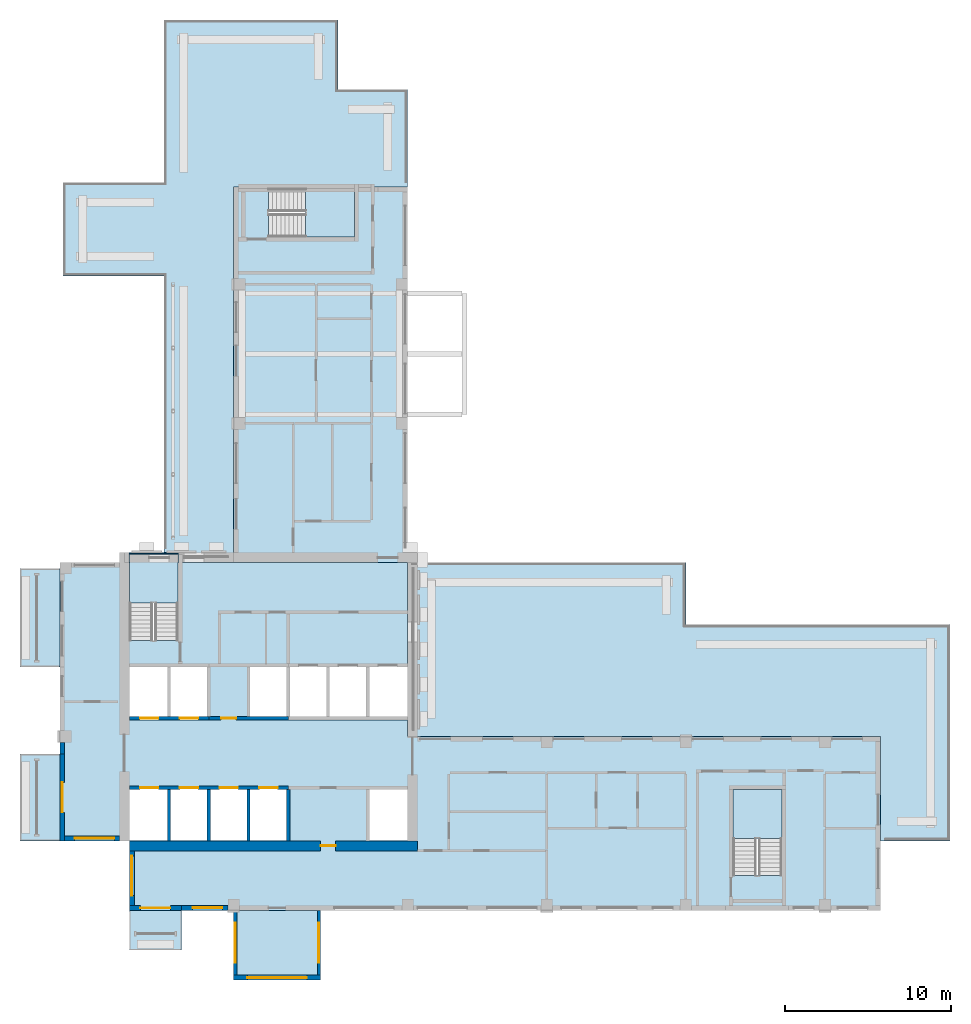
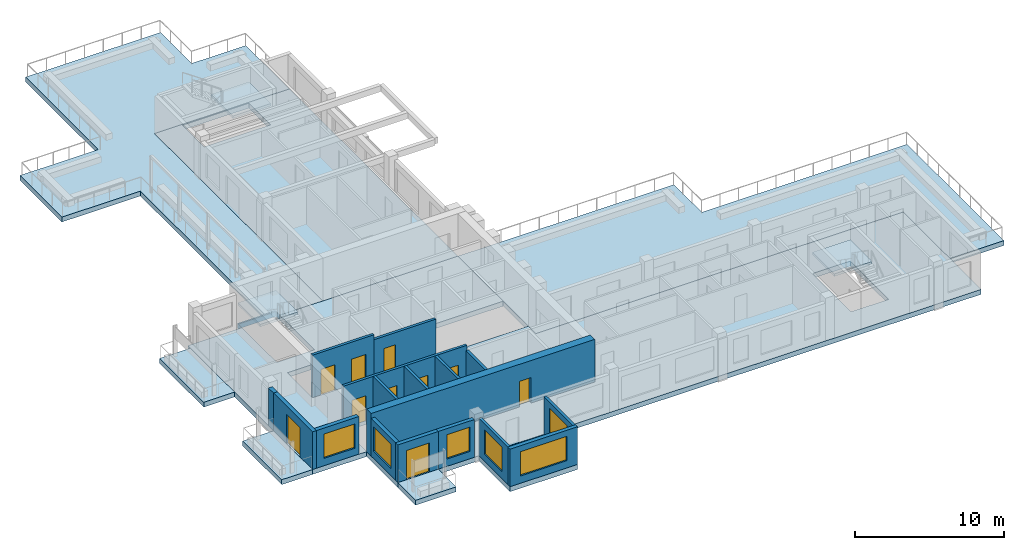
# One storey, part 3 of 12: 17 walls, 12 slabs, 10 doors, 6 windows, 16 openings, 3 elements without a shape of their own.
"""IFC4 building model written with IfcOpenShell, lengths in metres."""

import ifcopenshell
import ifcopenshell.guid

model = None  # the IFC model being written
_history = None  # IfcOwnerHistory: only IFC2X3 demands one
_inside = {}  # id of a spatial element -> (the spatial element, [elements in it])
_under = {}  # id of a project, library or spatial element -> (it, [spatial elements below it])
_declared = {}  # id of a project -> (the project, [libraries it declares])
_typed = {}  # id of a type object -> (the type object, [elements of that type])
_made_of = {}  # id of a material, layer set ... -> (it, [elements and type objects made of it])


def new_model(schema):
    """Start an empty IFC model of exactly this schema.

    Asked for "IFC4X3", IfcOpenShell would pick the latest addendum, in which some entities
    have other attributes; the version numbers below select the first issue.
    IFC2X3 requires an IfcOwnerHistory on every rooted entity: one is made here for all.
    """
    global model, _history
    if schema == "IFC4X3":
        model = ifcopenshell.file(schema_version=(4, 3, 0, 0))
    else:
        model = ifcopenshell.file(schema=schema)
    _inside.clear()
    _under.clear()
    _declared.clear()
    _typed.clear()
    _made_of.clear()
    _history = None
    if model.schema == "IFC2X3":
        org = make("IfcOrganization", Name="unknown")
        user = make(
            "IfcPersonAndOrganization",
            ThePerson=make("IfcPerson", FamilyName="unknown"),
            TheOrganization=org,
        )
        app = make(
            "IfcApplication",
            ApplicationDeveloper=org,
            Version="unknown",
            ApplicationFullName="unknown",
            ApplicationIdentifier="unknown",
        )
        _history = make(
            "IfcOwnerHistory",
            OwningUser=user,
            OwningApplication=app,
            ChangeAction="ADDED",
            CreationDate=0,
        )
    return model


def make(cls, **values):
    """One entity of the class cls with the attributes given. An attribute that is None is left unset."""
    return model.create_entity(
        cls, **{name: value for name, value in values.items() if value is not None}
    )


def rooted(cls, **values):
    """An entity with a GlobalId (a new one), such as an element, a storey or a relation."""
    return make(cls, GlobalId=ifcopenshell.guid.new(), OwnerHistory=_history, **values)


def si_unit(unit_type, name, prefix=None):
    """IfcSIUnit, for example si_unit("LENGTHUNIT", "METRE", prefix="MILLI")."""
    return make("IfcSIUnit", UnitType=unit_type, Prefix=prefix, Name=name)


def assignment(units):
    """IfcUnitAssignment: the units of a project."""
    return None if units is None else make("IfcUnitAssignment", Units=units)


def point(xyz):
    """IfcCartesianPoint."""
    return None if xyz is None else make("IfcCartesianPoint", Coordinates=xyz)


def direction(xyz):
    """IfcDirection."""
    return None if xyz is None else make("IfcDirection", DirectionRatios=xyz)


def frame(location, z_axis=None, x_axis=None):
    """IfcAxis2Placement3D, a coordinate frame: its origin and axes. An axis left out is left unset."""
    return make(
        "IfcAxis2Placement3D",
        Location=point(location),
        Axis=direction(z_axis),
        RefDirection=direction(x_axis),
    )


def frame_2d(location, x_axis=None):
    """IfcAxis2Placement2D, a coordinate frame in the plane: its origin and x axis."""
    return make(
        "IfcAxis2Placement2D", Location=point(location), RefDirection=direction(x_axis)
    )


def origin():
    """The frame at (0, 0, 0) with its axes left unset."""
    return frame((0.0, 0.0, 0.0))


def place(relative_to, where):
    """IfcLocalPlacement: puts the frame where relative to a parent placement (None: the world)."""
    return make(
        "IfcLocalPlacement", PlacementRelTo=relative_to, RelativePlacement=where
    )


def context(
    kind, dimensions, precision=None, world=None, true_north=None, identifier=None
):
    """IfcGeometricRepresentationContext, for example the 3D "Model" context."""
    return make(
        "IfcGeometricRepresentationContext",
        ContextIdentifier=identifier,
        ContextType=kind,
        CoordinateSpaceDimension=dimensions,
        Precision=precision,
        WorldCoordinateSystem=world,
        TrueNorth=true_north,
    )


def subcontext(parent, identifier, kind, view, scale=None):
    """IfcGeometricRepresentationSubContext, for example "Body" below "Model"."""
    return make(
        "IfcGeometricRepresentationSubContext",
        ContextIdentifier=identifier,
        ContextType=kind,
        ParentContext=parent,
        TargetScale=scale,
        TargetView=view,
    )


def project(units=None, contexts=None):
    """IfcProject with its units and contexts."""
    return rooted(
        "IfcProject",
        Name="project",
        RepresentationContexts=contexts,
        UnitsInContext=assignment(units),
    )


def spatial(cls, under=None, at=None, **own):
    """A site, building, storey or space (cls), placed at a placement, below another one or the project."""
    s = rooted(cls, ObjectPlacement=at, **own)
    if under is not None:
        _under.setdefault(under.id(), (under, []))[1].append(s)
    return s


def polyline(points):
    """IfcPolyline through the points."""
    return make("IfcPolyline", Points=[point(p) for p in points])


def profile(cls, at=None, kind="AREA", **sizes):
    """A parametric profile (cls). Its sizes go by their IFC names, for example OverallWidth=200.0."""
    return make(cls, ProfileType=kind, Position=at, **sizes)


def rectangle(**sizes):
    """IfcRectangleProfileDef."""
    return profile("IfcRectangleProfileDef", **sizes)


def outline(outer, holes=None, kind="AREA"):
    """IfcArbitraryClosedProfileDef: a profile drawn as a closed curve; with holes, ...WithVoids."""
    if holes is None:
        return make("IfcArbitraryClosedProfileDef", ProfileType=kind, OuterCurve=outer)
    return make(
        "IfcArbitraryProfileDefWithVoids",
        ProfileType=kind,
        OuterCurve=outer,
        InnerCurves=holes,
    )


def extrude(swept, where, along, depth):
    """IfcExtrudedAreaSolid: the profile swept, set in the frame where, extruded along a direction by depth."""
    return make(
        "IfcExtrudedAreaSolid",
        SweptArea=swept,
        Position=where,
        ExtrudedDirection=direction(along),
        Depth=depth,
    )


def shape(context_of_items, identifier, shape_type, items):
    """IfcShapeRepresentation: the items that make up one representation, for example the "Body"."""
    return make(
        "IfcShapeRepresentation",
        ContextOfItems=context_of_items,
        RepresentationIdentifier=identifier,
        RepresentationType=shape_type,
        Items=items,
    )


def source(mapping_origin, context_of_items, identifier, shape_type, items):
    """IfcRepresentationMap: a shape defined once, which mapped items show again and again."""
    return make(
        "IfcRepresentationMap",
        MappingOrigin=mapping_origin,
        MappedRepresentation=shape(context_of_items, identifier, shape_type, items),
    )


def transform(
    local_origin,
    x_axis=None,
    y_axis=None,
    z_axis=None,
    scale=None,
    scale2=None,
    scale3=None,
    uniform=True,
):
    """IfcCartesianTransformationOperator3D, or its non-uniform kind. x_axis, y_axis, z_axis: its Axis1, 2, 3."""
    if uniform:
        return make(
            "IfcCartesianTransformationOperator3D",
            Axis1=direction(x_axis),
            Axis2=direction(y_axis),
            LocalOrigin=point(local_origin),
            Scale=scale,
            Axis3=direction(z_axis),
        )
    return make(
        "IfcCartesianTransformationOperator3DnonUniform",
        Axis1=direction(x_axis),
        Axis2=direction(y_axis),
        LocalOrigin=point(local_origin),
        Scale=scale,
        Axis3=direction(z_axis),
        Scale2=scale2,
        Scale3=scale3,
    )


def mapped(mapping_source, mapping_target):
    """IfcMappedItem: shows the shape of a source again, moved by a transform."""
    return make(
        "IfcMappedItem", MappingSource=mapping_source, MappingTarget=mapping_target
    )


def material(Name=None, Category=None):
    """IfcMaterial."""
    return make("IfcMaterial", Name=Name, Category=Category)


def layer(
    of_material, thickness, ventilated=None, Name=None, Category=None, Priority=None
):
    """IfcMaterialLayer: one layer of a wall or slab, of a material (None: an air gap)."""
    return make(
        "IfcMaterialLayer",
        Material=of_material,
        LayerThickness=thickness,
        IsVentilated=ventilated,
        Name=Name,
        Category=Category,
        Priority=Priority,
    )


def layer_set(layers, Name=None):
    """IfcMaterialLayerSet."""
    return make("IfcMaterialLayerSet", MaterialLayers=layers, LayerSetName=Name)


def made_of(thing, what):
    """Note that an element or type object is made of a material, layer set ...; save() writes the relation."""
    if what is not None:
        _made_of.setdefault(what.id(), (what, []))[1].append(thing)
    return thing


def type_object(cls, material=None, **own):
    """A type object (cls), such as IfcWallType, which elements share."""
    return made_of(rooted(cls, **own), material)


def element(
    cls,
    number,
    at=None,
    inside=None,
    cuts=None,
    type_object=None,
    material=None,
    context=None,
    identifier="Body",
    shape_type=None,
    held_by="IfcProductDefinitionShape",
    body=None,
    shapes=None,
    **own,
):
    """One element of the class cls, such as IfcWall. Its Tag is "e" and its number.

    at: its placement. inside: the storey or other place that contains it. cuts: it is an
    opening in that element (IfcRelVoidsElement). A single representation is given by context,
    identifier, shape_type and body (its items); several are given by shapes. held_by: the class
    of the entity that holds the representations. save() writes the other relations.
    """
    e = rooted(cls, Tag="e%d" % number, ObjectPlacement=at, **own)
    if body is not None:
        shapes = [shape(context, identifier, shape_type, body)]
    if shapes is not None:
        e.Representation = make(held_by, Representations=shapes)
    if inside is not None:
        _inside.setdefault(inside.id(), (inside, []))[1].append(e)
    if cuts is not None:
        rooted(
            "IfcRelVoidsElement", RelatingBuildingElement=cuts, RelatedOpeningElement=e
        )
    if type_object is not None:
        _typed.setdefault(type_object.id(), (type_object, []))[1].append(e)
    return made_of(e, material)


def fill(opening, filler):
    """IfcRelFillsElement: the door or window that sits in an opening."""
    return rooted(
        "IfcRelFillsElement",
        RelatingOpeningElement=opening,
        RelatedBuildingElement=filler,
    )


def aggregate(whole, parts):
    """IfcRelAggregates: a whole, such as a stair, and the parts it consists of."""
    return rooted("IfcRelAggregates", RelatingObject=whole, RelatedObjects=parts)


def save(model, path):
    """Write the relations noted so far, then the file.

    IfcRelAggregates (storeys below a building ...), IfcRelContainedInSpatialStructure (elements
    in a storey), IfcRelDefinesByType, IfcRelAssociatesMaterial and IfcRelDeclares: one each for
    every whole, place, type object, material and project.
    """
    for whole, parts in _under.values():
        aggregate(whole, parts)
    for where, things in _inside.values():
        rooted(
            "IfcRelContainedInSpatialStructure",
            RelatedElements=things,
            RelatingStructure=where,
        )
    for kind, things in _typed.values():
        rooted("IfcRelDefinesByType", RelatedObjects=things, RelatingType=kind)
    for what, things in _made_of.values():
        rooted("IfcRelAssociatesMaterial", RelatedObjects=things, RelatingMaterial=what)
    for by, libraries in _declared.values():
        rooted("IfcRelDeclares", RelatingContext=by, RelatedDefinitions=libraries)
    model.write(path)


model = new_model("IFC4")

# Units and contexts
model_context = context("Model", 3, precision=1e-05, world=origin(), true_north=direction((0.0, 1.0)))
body_context = subcontext(model_context, "Body", "Model", "MODEL_VIEW")
ifc_project = project(units=[si_unit("LENGTHUNIT", "METRE"), si_unit("AREAUNIT", "SQUARE_METRE"), si_unit("VOLUMEUNIT", "CUBIC_METRE"), si_unit("PLANEANGLEUNIT", "RADIAN"), si_unit("MASSUNIT", "GRAM", prefix="KILO")], contexts=[model_context])

# Site, building, storey
site_placement = place(None, origin())
site = spatial("IfcSite", under=ifc_project, at=site_placement, CompositionType="ELEMENT")
building_placement = place(site_placement, origin())
building = spatial("IfcBuilding", under=site, at=building_placement, Name="Aurelian Terraces", CompositionType="ELEMENT")
storey_placement = place(building_placement, frame((0.0, 0.0, 284.5)))
storey = spatial("IfcBuildingStorey", under=building, at=storey_placement, Name="L64", CompositionType="ELEMENT", Elevation=284.5)

# Slabs
ifc_material_1 = material(Name="Concrete fc' 40 MPa", Category="concrete")
ifc_layer_1 = layer(ifc_material_1, 0.4)
ifc_layer_set_1 = layer_set([ifc_layer_1], Name="Balcony slab 400")
slab_type_1 = type_object("IfcSlabType", Name="Balcony slab 400", PredefinedType="NOTDEFINED", material=ifc_layer_set_1)
slab_1_placement = place(storey_placement, frame((0.0, 0.0, -0.4)))
element("IfcSlab", 1, at=slab_1_placement, inside=storey, type_object=slab_type_1, Name="Balcony slab L64 F12.21", PredefinedType="NOTDEFINED", context=body_context, shape_type="SweptSolid", body=[
    extrude(outline(polyline([(0.0, 20.65), (0.0, 14.7), (-2.4, 14.7), (-2.4, 20.65), (0.0, 20.65)])), origin(), (0.0, 0.0, 1.0), 0.4),
])
ifc_layer_2 = layer(ifc_material_1, 0.4)
ifc_layer_set_2 = layer_set([ifc_layer_2], Name="PT FLAT PLATE 400")
slab_type_2 = type_object("IfcSlabType", Name="PT FLAT PLATE 400", PredefinedType="FLOOR", material=ifc_layer_set_2)
slab_2_placement = place(storey_placement, frame((0.0, 0.0, -0.4)))
element("IfcSlab", 2, at=slab_2_placement, inside=storey, type_object=slab_type_2, Name="Floor slab S L64", PredefinedType="FLOOR", context=body_context, shape_type="SweptSolid", body=[
    extrude(outline(polyline([(21.0, 0.0), (4.2, 0.0), (4.2, 4.2), (0.0, 4.2), (0.0, 10.5), (0.0, 21.0), (4.21, 21.0), (4.21, 16.31), (7.14, 16.31), (7.14, 21.0), (21.0, 21.0), (21.0, 10.5), (49.56, 10.5), (49.56, 6.3), (49.56, 4.2), (49.56, 0.0), (21.0, 0.0)]), holes=[polyline([(40.66, 2.11), (43.59, 2.11), (43.59, 7.29), (40.66, 7.29), (40.66, 2.11)]), polyline([(18.61, 7.49), (18.61, 4.21), (20.99, 4.21), (20.99, 7.49), (18.61, 7.49)]), polyline([(20.99, 14.89), (11.41, 14.89), (11.41, 11.51), (20.99, 11.51), (20.99, 14.89)]), polyline([(4.21, 7.49), (4.21, 4.21), (13.79, 4.21), (13.79, 7.49), (4.21, 7.49)]), polyline([(4.21, 14.89), (4.21, 11.51), (8.99, 11.51), (8.99, 14.89), (4.21, 14.89)])]), origin(), (0.0, 0.0, 1.0), 0.4),
])
slab_3_placement = place(storey_placement, frame((0.0, 0.0, -0.4)))
element("IfcSlab", 3, at=slab_3_placement, inside=storey, type_object=slab_type_2, Name="Floor slab W L64", PredefinedType="FLOOR", context=body_context, shape_type="SweptSolid", body=[
    extrude(outline(polyline([(10.5, 43.68), (14.7, 43.68), (16.8, 43.68), (21.0, 43.68), (21.0, 21.0), (10.5, 21.0), (10.5, 43.68)]), holes=[polyline([(17.79, 43.59), (12.61, 43.59), (12.61, 40.66), (17.79, 40.66), (17.79, 43.59)])]), origin(), (0.0, 0.0, 1.0), 0.4),
])
slab_4_placement = place(storey_placement, frame((0.0, 0.0, -0.4)))
element("IfcSlab", 4, at=slab_4_placement, inside=storey, type_object=slab_type_2, Name="Floor slab W2 L64", PredefinedType="FLOOR", context=body_context, shape_type="SweptSolid", body=[
    extrude(outline(polyline([(4.2, 21.0), (4.2, 21.6), (7.15, 21.6), (7.15, 21.0), (7.14, 21.0), (7.14, 21.49), (4.21, 21.49), (4.21, 21.0), (4.2, 21.0)])), origin(), (0.0, 0.0, 1.0), 0.4),
])
ifc_layer_3 = layer(ifc_material_1, 0.4001)
ifc_layer_set_3 = layer_set([ifc_layer_3], Name="Terrace slab 400")
slab_type_3 = type_object("IfcSlabType", Name="Terrace slab 400", PredefinedType="NOTDEFINED", material=ifc_layer_set_3)
slab_5_placement = place(storey_placement, frame((0.0, 0.0, -0.4001)))
element("IfcSlab", 5, at=slab_5_placement, inside=storey, type_object=slab_type_3, Name="Setback terrace L64 L64-X1", PredefinedType="NOTDEFINED", context=body_context, shape_type="SweptSolid", body=[
    extrude(outline(polyline([(49.56, 4.2), (49.56, 6.3), (49.56, 10.5), (21.0, 10.5), (21.0, 21.0), (37.8, 21.0), (37.8, 17.25), (49.56, 17.25), (53.76, 17.25), (53.76, 16.8), (53.76, 16.65), (53.76, 4.2), (49.56, 4.2)])), origin(), (0.0, 0.0, 1.0), 0.4001),
])
slab_6_placement = place(storey_placement, frame((0.0, 0.0, -0.4001)))
element("IfcSlab", 6, at=slab_6_placement, inside=storey, type_object=slab_type_3, Name="Setback terrace L64 L64-X2", PredefinedType="NOTDEFINED", context=body_context, shape_type="SweptSolid", body=[
    extrude(outline(polyline([(6.3, 38.3), (0.2, 38.3), (0.2, 43.95), (6.3, 43.95), (6.3, 49.56), (6.3, 53.76), (10.5, 53.76), (16.8, 53.76), (16.8, 49.56), (21.0, 49.56), (21.0, 43.68), (16.8, 43.68), (14.7, 43.68), (10.5, 43.68), (10.5, 21.0), (7.15, 21.0), (7.15, 21.6), (6.3, 21.6), (6.3, 38.3)])), origin(), (0.0, 0.0, 1.0), 0.4001),
])
shared_shape_1 = source(origin(), body_context, "Body", "SweptSolid", [
    extrude(outline(polyline([(0.0, 9.45), (0.0, 4.2), (-2.4, 4.2), (-2.4, 9.45), (0.0, 9.45)])), origin(), (0.0, 0.0, 1.0), 0.4),
])
slab_7_placement = place(storey_placement, frame((0.0, 0.0, -0.4)))
element("IfcSlab", 7, at=slab_7_placement, inside=storey, type_object=slab_type_1, Name="Balcony slab L64 F12.23", PredefinedType="NOTDEFINED", context=body_context, shape_type="MappedRepresentation", body=[
    mapped(shared_shape_1, transform((0.0, 0.0, 0.0), scale=1.0)),
])
ifc_layer_4 = layer(ifc_material_1, 0.41)
ifc_layer_set_4 = layer_set([ifc_layer_4], Name="Box floor 410")
slab_type_4 = type_object("IfcSlabType", Name="Box floor 410", PredefinedType="NOTDEFINED", material=ifc_layer_set_4)
shared_shape_2 = source(origin(), body_context, "Body", "SweptSolid", [
    extrude(outline(polyline([(10.5, -4.2), (15.75, -4.2), (15.75, 0.0), (10.5, 0.0), (10.5, -4.2)])), origin(), (0.0, 0.0, 1.0), 0.41),
])
slab_8_placement = place(storey_placement, frame((0.0, 0.0, -0.41)))
element("IfcSlab", 8, at=slab_8_placement, inside=storey, type_object=slab_type_4, Name="Box floor L64 J88", PredefinedType="NOTDEFINED", context=body_context, shape_type="MappedRepresentation", body=[
    mapped(shared_shape_2, transform((0.0, 0.0, 0.0), scale=1.0)),
])
shared_shape_3 = source(origin(), body_context, "Body", "SweptSolid", [
    extrude(outline(polyline([(4.2, 0.0), (7.35, 0.0), (7.35, -2.4), (4.2, -2.4), (4.2, 0.0)])), origin(), (0.0, 0.0, 1.0), 0.4),
])
slab_9_placement = place(storey_placement, frame((0.0, 0.0, -0.4)))
element("IfcSlab", 9, at=slab_9_placement, inside=storey, type_object=slab_type_1, Name="Balcony slab L64 F01.1", PredefinedType="NOTDEFINED", context=body_context, shape_type="MappedRepresentation", body=[
    mapped(shared_shape_3, transform((0.0, 0.0, 0.0), scale=1.0)),
])

# Stair, slab
stair_type = type_object("IfcStairType", Name="Stair 1400", PredefinedType="HALF_TURN_STAIR", material=ifc_material_1)
stair_1_placement = place(storey_placement, origin())
stair_1 = element("IfcStair", 10, at=stair_1_placement, inside=storey, type_object=stair_type, Name="L64 S1", PredefinedType="HALF_TURN_STAIR")
ifc_layer_5 = layer(ifc_material_1, 0.2)
ifc_layer_set_5 = layer_set([ifc_layer_5], Name="Stair landing 200")
slab_type_5 = type_object("IfcSlabType", Name="Stair landing 200", PredefinedType="LANDING", material=ifc_layer_set_5)
shared_shape_4 = source(origin(), body_context, "Body", "SweptSolid", [
    extrude(outline(polyline([(7.15, 18.55), (7.15, 21.5), (4.2, 21.5), (4.2, 18.55), (7.15, 18.55)])), origin(), (0.0, 0.0, 1.0), 0.2),
])
slab_10_placement = place(storey_placement, frame((0.0, 0.0, 1.55)))
slab_10 = element("IfcSlab", 11, at=slab_10_placement, type_object=slab_type_5, Name="S1 landing 1", PredefinedType="LANDING", context=body_context, shape_type="MappedRepresentation", body=[
    mapped(shared_shape_4, transform((0.0, 0.0, 0.0), scale=1.0)),
])
aggregate(stair_1, [slab_10])

stair_2_placement = place(storey_placement, origin())
stair_2 = element("IfcStair", 12, at=stair_2_placement, inside=storey, type_object=stair_type, Name="L64 S2", PredefinedType="HALF_TURN_STAIR")
shared_shape_5 = source(origin(), body_context, "Body", "SweptSolid", [
    extrude(outline(polyline([(43.6, 4.35), (43.6, 7.3), (40.65, 7.3), (40.65, 4.35), (43.6, 4.35)])), origin(), (0.0, 0.0, 1.0), 0.2),
])
slab_11_placement = place(storey_placement, frame((0.0, 0.0, 1.55)))
slab_11 = element("IfcSlab", 13, at=slab_11_placement, type_object=slab_type_5, Name="S2 landing 1", PredefinedType="LANDING", context=body_context, shape_type="MappedRepresentation", body=[
    mapped(shared_shape_5, transform((0.0, 0.0, 0.0), scale=1.0)),
])
aggregate(stair_2, [slab_11])

stair_3_placement = place(storey_placement, origin())
stair_3 = element("IfcStair", 14, at=stair_3_placement, inside=storey, type_object=stair_type, Name="L64 S3U", PredefinedType="HALF_TURN_STAIR")
shared_shape_6 = source(origin(), body_context, "Body", "SweptSolid", [
    extrude(outline(polyline([(14.85, 40.65), (17.8, 40.65), (17.8, 43.6), (14.85, 43.6), (14.85, 40.65)])), origin(), (0.0, 0.0, 1.0), 0.2),
])
slab_12_placement = place(storey_placement, frame((0.0, 0.0, 1.55)))
slab_12 = element("IfcSlab", 15, at=slab_12_placement, type_object=slab_type_5, Name="S3U landing 1", PredefinedType="LANDING", context=body_context, shape_type="MappedRepresentation", body=[
    mapped(shared_shape_6, transform((0.0, 0.0, 0.0), scale=1.0)),
])
aggregate(stair_3, [slab_12])

# Wall, opening, window
ifc_layer_6 = layer(ifc_material_1, 0.2)
ifc_layer_set_6 = layer_set([ifc_layer_6], Name="BOX BEARING WALL 200")
wall_type_1 = type_object("IfcWallType", Name="BOX BEARING WALL 200", PredefinedType="SOLIDWALL", material=ifc_layer_set_6)
wall_1_placement = place(storey_placement, frame((10.6, 0.0, 0.0), z_axis=(0.0, 0.0, 1.0), x_axis=(0.0, -1.0, 0.0)))
wall_1 = element("IfcWall", 16, at=wall_1_placement, inside=storey, type_object=wall_type_1, Name="Box return L64 J88.1", PredefinedType="SOLIDWALL", context=body_context, shape_type="SweptSolid", body=[
    extrude(rectangle(XDim=3.9, YDim=0.2, at=frame_2d((1.95, 0.0))), origin(), (0.0, 0.0, 1.0), 3.09),
])
opening_1_placement = place(wall_1_placement, frame((0.75, 0.0, 0.6)))
opening_1 = element("IfcOpeningElement", 17, at=opening_1_placement, cuts=wall_1, Name="Opening W2420", PredefinedType="OPENING", context=body_context, shape_type="SweptSolid", body=[
    extrude(rectangle(XDim=2.4, YDim=2.0, at=frame_2d((1.2, 1.0))), frame((0.0, 0.11, 0.0), z_axis=(0.0, -1.0, 0.0), x_axis=(1.0, 0.0, 0.0)), (0.0, 0.0, 1.0), 0.22),
])
ifc_material_2 = material(Name="Clear glazing", Category="glass")
window_type_1 = type_object("IfcWindowType", Name="W-2400x2000", PartitioningType="SINGLE_PANEL", PredefinedType="WINDOW", material=ifc_material_2)
shared_shape_7 = source(origin(), body_context, "Body", "SweptSolid", [
    extrude(rectangle(XDim=2.4, YDim=2.0, at=frame_2d((1.2, 1.0))), frame((0.0, 0.03, 0.0), z_axis=(0.0, -1.0, 0.0), x_axis=(1.0, 0.0, 0.0)), (0.0, 0.0, 1.0), 0.06),
])
window_1_placement = place(opening_1_placement, origin())
window_1 = element("IfcWindow", 18, at=window_1_placement, inside=storey, type_object=window_type_1, Name="Window L64 J88-S1", OverallHeight=2.0, OverallWidth=2.4, PartitioningType="SINGLE_PANEL", PredefinedType="WINDOW", context=body_context, shape_type="MappedRepresentation", body=[
    mapped(shared_shape_7, transform((0.0, 0.0, 0.0), scale=1.0)),
])
fill(opening_1, window_1)

ifc_layer_7 = layer(ifc_material_1, 0.3)
ifc_layer_set_7 = layer_set([ifc_layer_7], Name="BOX BEARING WALL 300")
wall_type_2 = type_object("IfcWallType", Name="BOX BEARING WALL 300", PredefinedType="SOLIDWALL", material=ifc_layer_set_7)
wall_2_placement = place(storey_placement, frame((10.5, -4.05, 0.0), z_axis=(0.0, 0.0, 1.0), x_axis=(1.0, 0.0, 0.0)))
wall_2 = element("IfcWall", 19, at=wall_2_placement, inside=storey, type_object=wall_type_2, Name="Box wall L64 J88", PredefinedType="SOLIDWALL", context=body_context, shape_type="SweptSolid", body=[
    extrude(rectangle(XDim=5.25, YDim=0.3, at=frame_2d((2.625, 0.0))), origin(), (0.0, 0.0, 1.0), 3.09),
])
shared_shape_8 = source(origin(), body_context, "Body", "SweptSolid", [
    extrude(rectangle(XDim=3.6, YDim=2.0, at=frame_2d((1.8, 1.0))), frame((0.0, 0.16, 0.0), z_axis=(0.0, -1.0, 0.0), x_axis=(1.0, 0.0, 0.0)), (0.0, 0.0, 1.0), 0.32),
])
opening_2_placement = place(wall_2_placement, frame((0.825, 0.0, 0.6)))
opening_2 = element("IfcOpeningElement", 20, at=opening_2_placement, cuts=wall_2, Name="Opening W3620", PredefinedType="OPENING", context=body_context, shape_type="MappedRepresentation", body=[
    mapped(shared_shape_8, transform((0.0, 0.0, 0.0), scale=1.0)),
])
window_type_2 = type_object("IfcWindowType", Name="W-3600x2000", PartitioningType="SINGLE_PANEL", PredefinedType="WINDOW", material=ifc_material_2)
shared_shape_9 = source(origin(), body_context, "Body", "SweptSolid", [
    extrude(rectangle(XDim=3.6, YDim=2.0, at=frame_2d((1.8, 1.0))), frame((0.0, 0.03, 0.0), z_axis=(0.0, -1.0, 0.0), x_axis=(1.0, 0.0, 0.0)), (0.0, 0.0, 1.0), 0.06),
])
window_2_placement = place(opening_2_placement, origin())
window_2 = element("IfcWindow", 21, at=window_2_placement, inside=storey, type_object=window_type_2, Name="Window L64 J88-F1", OverallHeight=2.0, OverallWidth=3.6, PartitioningType="SINGLE_PANEL", PredefinedType="WINDOW", context=body_context, shape_type="MappedRepresentation", body=[
    mapped(shared_shape_9, transform((0.0, 0.0, 0.0), scale=1.0)),
])
fill(opening_2, window_2)

# Wall, opening, door
ifc_material_3 = material(Name="Terracotta rainscreen cladding", Category="masonry")
ifc_layer_8 = layer(ifc_material_3, 0.3)
ifc_layer_set_8 = layer_set([ifc_layer_8], Name="EW-300")
wall_type_3 = type_object("IfcWallType", Name="EW-300", PredefinedType="STANDARD", material=ifc_layer_set_8)
wall_3_placement = place(storey_placement, frame((4.2, 0.15, 0.0), z_axis=(0.0, 0.0, 1.0), x_axis=(1.0, 0.0, 0.0)))
wall_3 = element("IfcWall", 22, at=wall_3_placement, inside=storey, type_object=wall_type_3, Name="External wall L64 F01.1", PredefinedType="STANDARD", context=body_context, shape_type="SweptSolid", body=[
    extrude(rectangle(XDim=3.15, YDim=0.3, at=frame_2d((1.575, 0.0))), origin(), (0.0, 0.0, 1.0), 3.1),
])
shared_shape_10 = source(origin(), body_context, "Body", "SweptSolid", [
    extrude(rectangle(XDim=1.8, YDim=2.4, at=frame_2d((0.9, 1.2))), frame((0.0, 0.16, 0.0), z_axis=(0.0, -1.0, 0.0), x_axis=(1.0, 0.0, 0.0)), (0.0, 0.0, 1.0), 0.32),
])
opening_3_placement = place(wall_3_placement, frame((0.675, 0.0, 0.0)))
opening_3 = element("IfcOpeningElement", 23, at=opening_3_placement, cuts=wall_3, Name="Opening 86401", PredefinedType="OPENING", context=body_context, shape_type="MappedRepresentation", body=[
    mapped(shared_shape_10, transform((0.0, 0.0, 0.0), scale=1.0)),
])
door_type_1 = type_object("IfcDoorType", Name="BD-1800x2400", OperationType="SLIDING_TO_LEFT", PredefinedType="DOOR", material=ifc_material_2)
shared_shape_11 = source(origin(), body_context, "Body", "SweptSolid", [
    extrude(rectangle(XDim=1.8, YDim=2.4, at=frame_2d((0.9, 1.2))), frame((0.0, 0.025, 0.0), z_axis=(0.0, -1.0, 0.0), x_axis=(1.0, 0.0, 0.0)), (0.0, 0.0, 1.0), 0.05),
])
door_1_placement = place(opening_3_placement, origin())
door_1 = element("IfcDoor", 24, at=door_1_placement, inside=storey, type_object=door_type_1, Name="Balcony door L64 F01.1", OperationType="SLIDING_TO_LEFT", OverallHeight=2.4, OverallWidth=1.8, PredefinedType="DOOR", context=body_context, shape_type="MappedRepresentation", body=[
    mapped(shared_shape_11, transform((0.0, 0.0, 0.0), scale=1.0)),
])
fill(opening_3, door_1)

# Wall, opening, window
wall_4_placement = place(storey_placement, frame((7.35, 0.15, 0.0), z_axis=(0.0, 0.0, 1.0), x_axis=(1.0, 0.0, 0.0)))
wall_4 = element("IfcWall", 25, at=wall_4_placement, inside=storey, type_object=wall_type_3, Name="External wall L64 F01.2", PredefinedType="STANDARD", context=body_context, shape_type="SweptSolid", body=[
    extrude(rectangle(XDim=2.8, YDim=0.3, at=frame_2d((1.4, 0.0))), origin(), (0.0, 0.0, 1.0), 3.1),
])
opening_4_placement = place(wall_4_placement, frame((0.675, 0.0, 0.6)))
opening_4 = element("IfcOpeningElement", 26, at=opening_4_placement, cuts=wall_4, Name="Opening W1820", PredefinedType="OPENING", context=body_context, shape_type="SweptSolid", body=[
    extrude(rectangle(XDim=1.8, YDim=2.0, at=frame_2d((0.9, 1.0))), frame((0.0, 0.16, 0.0), z_axis=(0.0, -1.0, 0.0), x_axis=(1.0, 0.0, 0.0)), (0.0, 0.0, 1.0), 0.32),
])
window_type_3 = type_object("IfcWindowType", Name="W-1800x2000", PartitioningType="SINGLE_PANEL", PredefinedType="WINDOW", material=ifc_material_2)
window_3_placement = place(opening_4_placement, origin())
window_3 = element("IfcWindow", 27, at=window_3_placement, inside=storey, type_object=window_type_3, Name="Window L64 L64-F01-02-0", OverallHeight=2.0, OverallWidth=1.8, PartitioningType="SINGLE_PANEL", PredefinedType="WINDOW", context=body_context, shape_type="SweptSolid", body=[
    extrude(rectangle(XDim=1.8, YDim=2.0, at=frame_2d((0.9, 1.0))), frame((0.0, 0.03, 0.0), z_axis=(0.0, -1.0, 0.0), x_axis=(1.0, 0.0, 0.0)), (0.0, 0.0, 1.0), 0.06),
])
fill(opening_4, window_3)

# Wall
wall_5_placement = place(storey_placement, frame((0.15, 10.15, 0.0), z_axis=(0.0, 0.0, 1.0), x_axis=(0.0, -1.0, 0.0)))
element("IfcWall", 28, at=wall_5_placement, inside=storey, type_object=wall_type_3, Name="External wall L64 F12.22", PredefinedType="STANDARD", context=body_context, shape_type="SweptSolid", body=[
    extrude(rectangle(XDim=0.7, YDim=0.3, at=frame_2d((0.35, 0.0))), origin(), (0.0, 0.0, 1.0), 3.1),
])

# Wall, opening, door
wall_6_placement = place(storey_placement, frame((0.15, 9.45, 0.0), z_axis=(0.0, 0.0, 1.0), x_axis=(0.0, -1.0, 0.0)))
wall_6 = element("IfcWall", 29, at=wall_6_placement, inside=storey, type_object=wall_type_3, Name="External wall L64 F12.23", PredefinedType="STANDARD", context=body_context, shape_type="SweptSolid", body=[
    extrude(rectangle(XDim=5.25, YDim=0.3, at=frame_2d((2.625, 0.0))), origin(), (0.0, 0.0, 1.0), 3.1),
])
opening_5_placement = place(wall_6_placement, frame((1.725, 0.0, 0.0)))
opening_5 = element("IfcOpeningElement", 30, at=opening_5_placement, cuts=wall_6, Name="Opening 86413", PredefinedType="OPENING", context=body_context, shape_type="MappedRepresentation", body=[
    mapped(shared_shape_10, transform((0.0, 0.0, 0.0), scale=1.0)),
])
door_2_placement = place(opening_5_placement, origin())
door_2 = element("IfcDoor", 31, at=door_2_placement, inside=storey, type_object=door_type_1, Name="Balcony door L64 F12.23", OperationType="SLIDING_TO_LEFT", OverallHeight=2.4, OverallWidth=1.8, PredefinedType="DOOR", context=body_context, shape_type="MappedRepresentation", body=[
    mapped(shared_shape_11, transform((0.0, 0.0, 0.0), scale=1.0)),
])
fill(opening_5, door_2)

# Wall, opening, window
wall_7_placement = place(storey_placement, frame((0.0, 4.35, 0.0), z_axis=(0.0, 0.0, 1.0), x_axis=(1.0, 0.0, 0.0)))
wall_7 = element("IfcWall", 32, at=wall_7_placement, inside=storey, type_object=wall_type_3, Name="External wall L64 F13.24", PredefinedType="STANDARD", context=body_context, shape_type="SweptSolid", body=[
    extrude(rectangle(XDim=3.6, YDim=0.3, at=frame_2d((1.8, 0.0))), origin(), (0.0, 0.0, 1.0), 3.1),
])
shared_shape_12 = source(origin(), body_context, "Body", "SweptSolid", [
    extrude(rectangle(XDim=2.4, YDim=2.0, at=frame_2d((1.2, 1.0))), frame((0.0, 0.16, 0.0), z_axis=(0.0, -1.0, 0.0), x_axis=(1.0, 0.0, 0.0)), (0.0, 0.0, 1.0), 0.32),
])
opening_6_placement = place(wall_7_placement, frame((0.9, 0.0, 0.6)))
opening_6 = element("IfcOpeningElement", 33, at=opening_6_placement, cuts=wall_7, Name="Opening W2420", PredefinedType="OPENING", context=body_context, shape_type="MappedRepresentation", body=[
    mapped(shared_shape_12, transform((0.0, 0.0, 0.0), scale=1.0)),
])
window_4_placement = place(opening_6_placement, origin())
window_4 = element("IfcWindow", 34, at=window_4_placement, inside=storey, type_object=window_type_1, Name="Window L64 L64-F13-24-0", OverallHeight=2.0, OverallWidth=2.4, PartitioningType="SINGLE_PANEL", PredefinedType="WINDOW", context=body_context, shape_type="MappedRepresentation", body=[
    mapped(shared_shape_7, transform((0.0, 0.0, 0.0), scale=1.0)),
])
fill(opening_6, window_4)

# Walls
ifc_layer_9 = layer(ifc_material_1, 0.2)
ifc_layer_set_9 = layer_set([ifc_layer_9], Name="Lift shaft wall 200")
wall_type_4 = type_object("IfcWallType", Name="Lift shaft wall 200", PredefinedType="SOLIDWALL", material=ifc_layer_set_9)
wall_8_placement = place(storey_placement, frame((6.6, 4.2, 0.0), z_axis=(0.0, 0.0, 1.0), x_axis=(0.0, 1.0, 0.0)))
element("IfcWall", 35, at=wall_8_placement, inside=storey, type_object=wall_type_4, Name="L64 core wall CD-A1", PredefinedType="SOLIDWALL", context=body_context, shape_type="SweptSolid", body=[
    extrude(rectangle(XDim=3.1, YDim=0.2, at=frame_2d((1.55, 0.0))), origin(), (0.0, 0.0, 1.0), 3.5),
])
wall_9_placement = place(storey_placement, frame((13.8, 4.2, 0.0), z_axis=(0.0, 0.0, 1.0), x_axis=(0.0, 1.0, 0.0)))
element("IfcWall", 36, at=wall_9_placement, inside=storey, type_object=wall_type_4, Name="L64 core wall CD-A4", PredefinedType="SOLIDWALL", context=body_context, shape_type="SweptSolid", body=[
    extrude(rectangle(XDim=3.1, YDim=0.2, at=frame_2d((1.55, 0.0))), origin(), (0.0, 0.0, 1.0), 3.1),
])

# Wall, openings, doors
wall_10_placement = place(storey_placement, frame((4.2, 7.4, 0.0), z_axis=(0.0, 0.0, 1.0), x_axis=(1.0, 0.0, 0.0)))
wall_10 = element("IfcWall", 37, at=wall_10_placement, inside=storey, type_object=wall_type_4, Name="L64 core wall CF-AF1", PredefinedType="SOLIDWALL", context=body_context, shape_type="SweptSolid", body=[
    extrude(rectangle(XDim=9.6, YDim=0.2, at=frame_2d((4.8, 0.0))), origin(), (0.0, 0.0, 1.0), 3.5),
])
shared_shape_13 = source(origin(), body_context, "Body", "SweptSolid", [
    extrude(rectangle(XDim=1.1, YDim=2.1, at=frame_2d((0.55, 1.05))), frame((0.0, 0.11, 0.0), z_axis=(0.0, -1.0, 0.0), x_axis=(1.0, 0.0, 0.0)), (0.0, 0.0, 1.0), 0.22),
])
opening_7_placement = place(wall_10_placement, frame((0.65, 0.0, 0.0)))
opening_7 = element("IfcOpeningElement", 38, at=opening_7_placement, cuts=wall_10, Name="Opening 66700", PredefinedType="OPENING", context=body_context, shape_type="MappedRepresentation", body=[
    mapped(shared_shape_13, transform((0.0, 0.0, 0.0), scale=1.0)),
])
opening_8_placement = place(wall_10_placement, frame((3.05, 0.0, 0.0)))
opening_8 = element("IfcOpeningElement", 39, at=opening_8_placement, cuts=wall_10, Name="Opening 66701", PredefinedType="OPENING", context=body_context, shape_type="MappedRepresentation", body=[
    mapped(shared_shape_13, transform((0.0, 0.0, 0.0), scale=1.0)),
])
opening_9_placement = place(wall_10_placement, frame((5.45, 0.0, 0.0)))
opening_9 = element("IfcOpeningElement", 40, at=opening_9_placement, cuts=wall_10, Name="Opening 66702", PredefinedType="OPENING", context=body_context, shape_type="MappedRepresentation", body=[
    mapped(shared_shape_13, transform((0.0, 0.0, 0.0), scale=1.0)),
])
opening_10_placement = place(wall_10_placement, frame((7.85, 0.0, 0.0)))
opening_10 = element("IfcOpeningElement", 41, at=opening_10_placement, cuts=wall_10, Name="Opening 66703", PredefinedType="OPENING", context=body_context, shape_type="MappedRepresentation", body=[
    mapped(shared_shape_13, transform((0.0, 0.0, 0.0), scale=1.0)),
])
ifc_material_4 = material(Name="Stainless steel", Category="steel")
door_type_2 = type_object("IfcDoorType", Name="Lift landing door 1100x2100", OperationType="SLIDING_TO_LEFT", PredefinedType="DOOR", material=ifc_material_4)
shared_shape_14 = source(origin(), body_context, "Body", "SweptSolid", [
    extrude(rectangle(XDim=1.1, YDim=2.1, at=frame_2d((0.55, 1.05))), frame((0.0, 0.025, 0.0), z_axis=(0.0, -1.0, 0.0), x_axis=(1.0, 0.0, 0.0)), (0.0, 0.0, 1.0), 0.05),
])
door_3_placement = place(opening_7_placement, origin())
door_3 = element("IfcDoor", 42, at=door_3_placement, inside=storey, type_object=door_type_2, Name="Lift landing door LH1 L64", OperationType="SLIDING_TO_LEFT", OverallHeight=2.1, OverallWidth=1.1, PredefinedType="DOOR", context=body_context, shape_type="MappedRepresentation", body=[
    mapped(shared_shape_14, transform((0.0, 0.0, 0.0), scale=1.0)),
])
fill(opening_7, door_3)
door_4_placement = place(opening_8_placement, origin())
door_4 = element("IfcDoor", 43, at=door_4_placement, inside=storey, type_object=door_type_2, Name="Lift landing door LH2 L64", OperationType="SLIDING_TO_LEFT", OverallHeight=2.1, OverallWidth=1.1, PredefinedType="DOOR", context=body_context, shape_type="MappedRepresentation", body=[
    mapped(shared_shape_14, transform((0.0, 0.0, 0.0), scale=1.0)),
])
fill(opening_8, door_4)
door_5_placement = place(opening_9_placement, origin())
door_5 = element("IfcDoor", 44, at=door_5_placement, inside=storey, type_object=door_type_2, Name="Lift landing door LH3 L64", OperationType="SLIDING_TO_LEFT", OverallHeight=2.1, OverallWidth=1.1, PredefinedType="DOOR", context=body_context, shape_type="MappedRepresentation", body=[
    mapped(shared_shape_14, transform((0.0, 0.0, 0.0), scale=1.0)),
])
fill(opening_9, door_5)
door_6_placement = place(opening_10_placement, origin())
door_6 = element("IfcDoor", 45, at=door_6_placement, inside=storey, type_object=door_type_2, Name="Lift landing door LH4 L64", OperationType="SLIDING_TO_LEFT", OverallHeight=2.1, OverallWidth=1.1, PredefinedType="DOOR", context=body_context, shape_type="MappedRepresentation", body=[
    mapped(shared_shape_14, transform((0.0, 0.0, 0.0), scale=1.0)),
])
fill(opening_10, door_6)

wall_11_placement = place(storey_placement, frame((4.2, 11.6, 0.0), z_axis=(0.0, 0.0, 1.0), x_axis=(1.0, 0.0, 0.0)))
wall_11 = element("IfcWall", 46, at=wall_11_placement, inside=storey, type_object=wall_type_4, Name="L64 core wall CF-BF1", PredefinedType="SOLIDWALL", context=body_context, shape_type="SweptSolid", body=[
    extrude(rectangle(XDim=4.8, YDim=0.2, at=frame_2d((2.4, 0.0))), origin(), (0.0, 0.0, 1.0), 3.5),
])
opening_11_placement = place(wall_11_placement, frame((0.65, 0.0, 0.0)))
opening_11 = element("IfcOpeningElement", 47, at=opening_11_placement, cuts=wall_11, Name="Opening 66705", PredefinedType="OPENING", context=body_context, shape_type="MappedRepresentation", body=[
    mapped(shared_shape_13, transform((0.0, 0.0, 0.0), scale=1.0)),
])
opening_12_placement = place(wall_11_placement, frame((3.05, 0.0, 0.0)))
opening_12 = element("IfcOpeningElement", 48, at=opening_12_placement, cuts=wall_11, Name="Opening 66706", PredefinedType="OPENING", context=body_context, shape_type="MappedRepresentation", body=[
    mapped(shared_shape_13, transform((0.0, 0.0, 0.0), scale=1.0)),
])
door_7_placement = place(opening_11_placement, origin())
door_7 = element("IfcDoor", 49, at=door_7_placement, inside=storey, type_object=door_type_2, Name="Lift landing door LH5 L64", OperationType="SLIDING_TO_LEFT", OverallHeight=2.1, OverallWidth=1.1, PredefinedType="DOOR", context=body_context, shape_type="MappedRepresentation", body=[
    mapped(shared_shape_14, transform((0.0, 0.0, 0.0), scale=1.0)),
])
fill(opening_11, door_7)
door_8_placement = place(opening_12_placement, origin())
door_8 = element("IfcDoor", 50, at=door_8_placement, inside=storey, type_object=door_type_2, Name="Lift landing door LH6 L64", OperationType="SLIDING_TO_LEFT", OverallHeight=2.1, OverallWidth=1.1, PredefinedType="DOOR", context=body_context, shape_type="MappedRepresentation", body=[
    mapped(shared_shape_14, transform((0.0, 0.0, 0.0), scale=1.0)),
])
fill(opening_12, door_8)

# Wall, opening, door
wall_12_placement = place(storey_placement, frame((9.0, 11.6, 0.0), z_axis=(0.0, 0.0, 1.0), x_axis=(1.0, 0.0, 0.0)))
wall_12 = element("IfcWall", 51, at=wall_12_placement, inside=storey, type_object=wall_type_4, Name="L64 core wall CF-BF2", PredefinedType="SOLIDWALL", context=body_context, shape_type="SweptSolid", body=[
    extrude(rectangle(XDim=4.8, YDim=0.2, at=frame_2d((2.4, 0.0))), origin(), (0.0, 0.0, 1.0), 3.1),
])
shared_shape_15 = source(origin(), body_context, "Body", "SweptSolid", [
    extrude(rectangle(XDim=0.9, YDim=2.1, at=frame_2d((0.45, 1.05))), frame((0.0, 0.11, 0.0), z_axis=(0.0, -1.0, 0.0), x_axis=(1.0, 0.0, 0.0)), (0.0, 0.0, 1.0), 0.22),
])
opening_13_placement = place(wall_12_placement, frame((0.75, 0.0, 0.0)))
opening_13 = element("IfcOpeningElement", 52, at=opening_13_placement, cuts=wall_12, Name="Opening 66707", PredefinedType="OPENING", context=body_context, shape_type="MappedRepresentation", body=[
    mapped(shared_shape_15, transform((0.0, 0.0, 0.0), scale=1.0)),
])
ifc_material_5 = material(Name="Steel door leaf", Category="steel")
door_type_3 = type_object("IfcDoorType", Name="Core service door 900x2100", OperationType="SINGLE_SWING_LEFT", PredefinedType="DOOR", material=ifc_material_5)
shared_shape_16 = source(origin(), body_context, "Body", "SweptSolid", [
    extrude(rectangle(XDim=0.9, YDim=2.1, at=frame_2d((0.45, 1.05))), frame((0.0, 0.025, 0.0), z_axis=(0.0, -1.0, 0.0), x_axis=(1.0, 0.0, 0.0)), (0.0, 0.0, 1.0), 0.05),
])
door_9_placement = place(opening_13_placement, origin())
door_9 = element("IfcDoor", 53, at=door_9_placement, inside=storey, type_object=door_type_3, Name="Room door 66707", OperationType="SINGLE_SWING_LEFT", OverallHeight=2.1, OverallWidth=0.9, PredefinedType="DOOR", context=body_context, shape_type="MappedRepresentation", body=[
    mapped(shared_shape_16, transform((0.0, 0.0, 0.0), scale=1.0)),
])
fill(opening_13, door_9)

ifc_material_6 = material(Name="Concrete fc' 55 MPa", Category="concrete")
ifc_layer_10 = layer(ifc_material_6, 0.6)
ifc_layer_set_10 = layer_set([ifc_layer_10], Name="CORE WALL 600 FC55")
wall_type_5 = type_object("IfcWallType", Name="CORE WALL 600 FC55", PredefinedType="SHEAR", material=ifc_layer_set_10)
shared_shape_17 = source(origin(), body_context, "Body", "SweptSolid", [
    extrude(rectangle(XDim=17.4, YDim=0.6, at=frame_2d((8.7, 0.0))), origin(), (0.0, 0.0, 1.0), 3.5),
])
wall_13_placement = place(storey_placement, frame((4.2, 3.9, 0.0), z_axis=(0.0, 0.0, 1.0), x_axis=(1.0, 0.0, 0.0)))
wall_13 = element("IfcWall", 54, at=wall_13_placement, inside=storey, type_object=wall_type_5, Name="Core wall S L64", PredefinedType="SHEAR", context=body_context, shape_type="MappedRepresentation", body=[
    mapped(shared_shape_17, transform((0.0, 0.0, 0.0), scale=1.0)),
])
opening_14_placement = place(wall_13_placement, frame((11.55, 0.0, 0.0)))
opening_14 = element("IfcOpeningElement", 55, at=opening_14_placement, cuts=wall_13, Name="Opening 66724", PredefinedType="OPENING", context=body_context, shape_type="SweptSolid", body=[
    extrude(rectangle(XDim=0.9, YDim=2.1, at=frame_2d((0.45, 1.05))), frame((0.0, 0.31, 0.0), z_axis=(0.0, -1.0, 0.0), x_axis=(1.0, 0.0, 0.0)), (0.0, 0.0, 1.0), 0.62),
])
door_10_placement = place(opening_14_placement, origin())
door_10 = element("IfcDoor", 56, at=door_10_placement, inside=storey, type_object=door_type_3, Name="Core door 66724", OperationType="SINGLE_SWING_LEFT", OverallHeight=2.1, OverallWidth=0.9, PredefinedType="DOOR", context=body_context, shape_type="MappedRepresentation", body=[
    mapped(shared_shape_16, transform((0.0, 0.0, 0.0), scale=1.0)),
])
fill(opening_14, door_10)

# Wall, opening, window
shared_shape_18 = source(origin(), body_context, "Body", "SweptSolid", [
    extrude(rectangle(XDim=3.6, YDim=0.3, at=frame_2d((1.8, 0.0))), origin(), (0.0, 0.0, 1.0), 3.1),
])
wall_14_placement = place(storey_placement, frame((4.35, 3.6, 0.0), z_axis=(0.0, 0.0, 1.0), x_axis=(0.0, -1.0, 0.0)))
wall_14 = element("IfcWall", 57, at=wall_14_placement, inside=storey, type_object=wall_type_3, Name="External wall L64 F14.25", PredefinedType="STANDARD", context=body_context, shape_type="MappedRepresentation", body=[
    mapped(shared_shape_18, transform((0.0, 0.0, 0.0), scale=1.0)),
])
opening_15_placement = place(wall_14_placement, frame((0.3, 0.0, 0.6)))
opening_15 = element("IfcOpeningElement", 58, at=opening_15_placement, cuts=wall_14, Name="Opening W2420", PredefinedType="OPENING", context=body_context, shape_type="MappedRepresentation", body=[
    mapped(shared_shape_12, transform((0.0, 0.0, 0.0), scale=1.0)),
])
window_5_placement = place(opening_15_placement, origin())
window_5 = element("IfcWindow", 59, at=window_5_placement, inside=storey, type_object=window_type_1, Name="Window L64 L64-F14-25-0", OverallHeight=2.0, OverallWidth=2.4, PartitioningType="SINGLE_PANEL", PredefinedType="WINDOW", context=body_context, shape_type="MappedRepresentation", body=[
    mapped(shared_shape_7, transform((0.0, 0.0, 0.0), scale=1.0)),
])
fill(opening_15, window_5)

shared_shape_19 = source(origin(), body_context, "Body", "SweptSolid", [
    extrude(rectangle(XDim=3.9, YDim=0.2, at=frame_2d((1.95, 0.0))), origin(), (0.0, 0.0, 1.0), 3.09),
])
wall_15_placement = place(storey_placement, frame((15.65, 0.0, 0.0), z_axis=(0.0, 0.0, 1.0), x_axis=(0.0, -1.0, 0.0)))
wall_15 = element("IfcWall", 60, at=wall_15_placement, inside=storey, type_object=wall_type_1, Name="Box return L64 J88.2", PredefinedType="SOLIDWALL", context=body_context, shape_type="MappedRepresentation", body=[
    mapped(shared_shape_19, transform((0.0, 0.0, 0.0), scale=1.0)),
])
shared_shape_20 = source(origin(), body_context, "Body", "SweptSolid", [
    extrude(rectangle(XDim=2.4, YDim=2.0, at=frame_2d((1.2, 1.0))), frame((0.0, 0.11, 0.0), z_axis=(0.0, -1.0, 0.0), x_axis=(1.0, 0.0, 0.0)), (0.0, 0.0, 1.0), 0.22),
])
opening_16_placement = place(wall_15_placement, frame((0.75, 0.0, 0.6)))
opening_16 = element("IfcOpeningElement", 61, at=opening_16_placement, cuts=wall_15, Name="Opening W2420", PredefinedType="OPENING", context=body_context, shape_type="MappedRepresentation", body=[
    mapped(shared_shape_20, transform((0.0, 0.0, 0.0), scale=1.0)),
])
window_6_placement = place(opening_16_placement, origin())
window_6 = element("IfcWindow", 62, at=window_6_placement, inside=storey, type_object=window_type_1, Name="Window L64 J88-S2", OverallHeight=2.0, OverallWidth=2.4, PartitioningType="SINGLE_PANEL", PredefinedType="WINDOW", context=body_context, shape_type="MappedRepresentation", body=[
    mapped(shared_shape_7, transform((0.0, 0.0, 0.0), scale=1.0)),
])
fill(opening_16, window_6)

# Walls
shared_shape_21 = source(origin(), body_context, "Body", "SweptSolid", [
    extrude(rectangle(XDim=3.1, YDim=0.2, at=frame_2d((1.55, 0.0))), origin(), (0.0, 0.0, 1.0), 3.5),
])
for number, where, z_axis, x_axis, name in (
    (63, (9.0, 4.2, 0.0), (0.0, 0.0, 1.0), (0.0, 1.0, 0.0), "L64 core wall CD-A2"),
    (64, (11.4, 4.2, 0.0), (0.0, 0.0, 1.0), (0.0, 1.0, 0.0), "L64 core wall CD-A3"),
):
    element("IfcWall", number, at=place(storey_placement, frame(where, z_axis=z_axis, x_axis=x_axis)), inside=storey, type_object=wall_type_4, Name=name, PredefinedType="SOLIDWALL", context=body_context, shape_type="MappedRepresentation", body=[
        mapped(shared_shape_21, transform((0.0, 0.0, 0.0), scale=1.0)),
    ])

save(model, "model.ifc")
